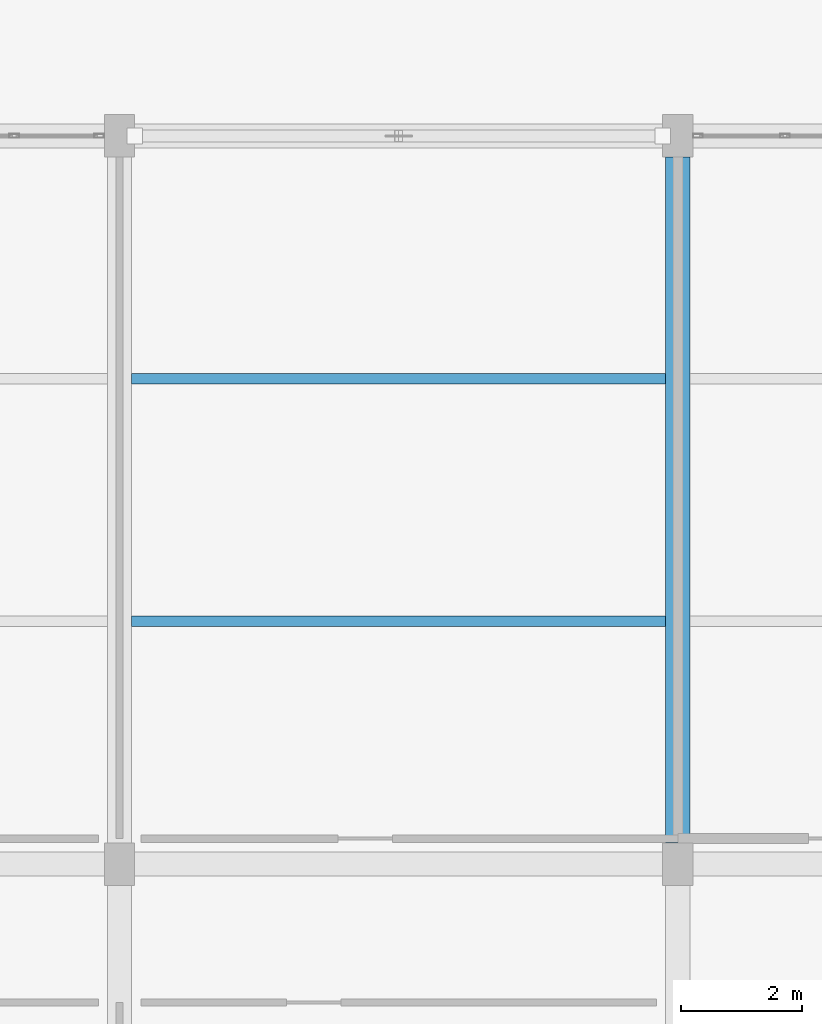
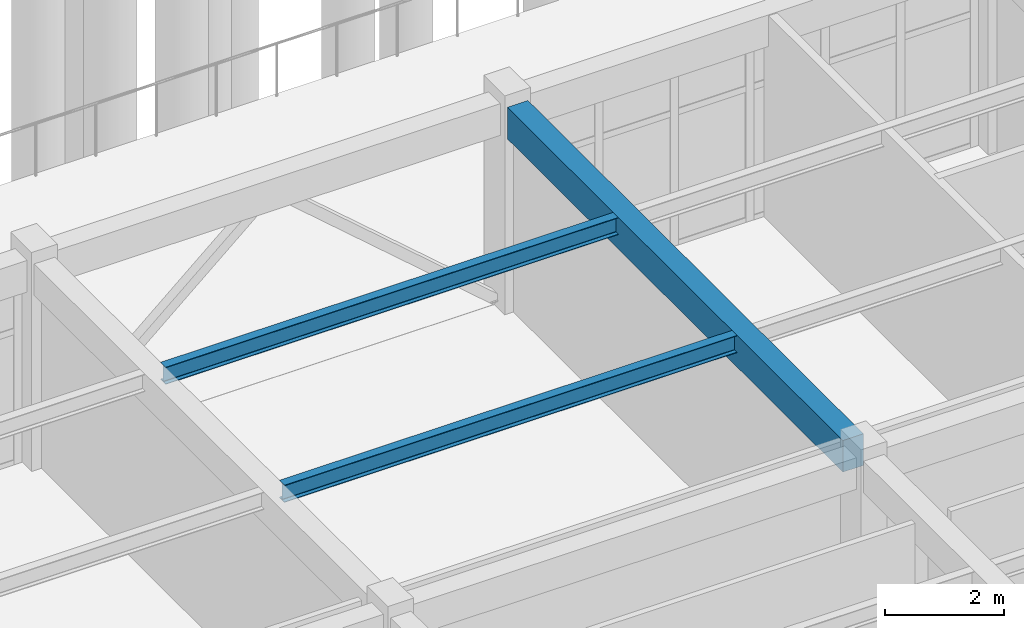
# One storey, part 38 of 154: 3 beams.
"""IFC4 building model written with IfcOpenShell, lengths in metres."""

from ifc_helpers import new_model, si_unit, direction, frame, origin, origin_2d, place, context, subcontext, project, spatial, rectangle, i_section, extrude, material, material_profile, profile_set, type_object, element, save


model = new_model("IFC4")

# Units and contexts
model_context = context("Model", 3, precision=1e-05, world=origin(), true_north=direction((0.0, 1.0)))
body_context = subcontext(model_context, "Body", "Model", "MODEL_VIEW")
ifc_project = project(units=[si_unit("LENGTHUNIT", "METRE"), si_unit("AREAUNIT", "SQUARE_METRE"), si_unit("VOLUMEUNIT", "CUBIC_METRE"), si_unit("PLANEANGLEUNIT", "RADIAN"), si_unit("MASSUNIT", "GRAM", prefix="KILO")], contexts=[model_context])

# Site, building, storey
site_placement = place(None, origin())
site = spatial("IfcSite", under=ifc_project, at=site_placement, CompositionType="ELEMENT")
building_placement = place(site_placement, origin())
building = spatial("IfcBuilding", under=site, at=building_placement, Name="Kestramere Prow Commons", CompositionType="ELEMENT")
storey_placement = place(building_placement, origin())
storey = spatial("IfcBuildingStorey", under=building, at=storey_placement, Name="L00", CompositionType="ELEMENT", Elevation=0.0)

# Beams
ifc_material_1 = material(Name="Precast concrete C40/50", Category="concrete")
ifc_material_profile_1 = material_profile(ifc_material_1, rectangle(XDim=0.39990234375, YDim=0.64990234375, at=origin_2d()), Name="PC-BM 400x650")
ifc_profile_set_1 = profile_set([ifc_material_profile_1], Name="Precast concrete C40/50")
beam_type_1 = type_object("IfcBeamType", Name="BM-MK-01 PC-BM 400x650", PredefinedType="BEAM", material=ifc_profile_set_1)
beam_placement = place(storey_placement, frame((94.199951171875, 12.35009765625, 3.925048828125), z_axis=(0.0, 1.0, 0.0), x_axis=(-1.0, 0.0, 0.0)))
element("IfcBeam", 1, at=beam_placement, inside=storey, type_object=beam_type_1, Name="Market Spine L00 Beam Y 5-2", PredefinedType="BEAM", context=body_context, shape_type="SweptSolid", body=[
    extrude(rectangle(XDim=0.39990234375, YDim=0.64990234375, at=origin_2d()), origin(), (0.0, 0.0, 1.0), 11.2998046875),
])
ifc_material_2 = material(Name="Steel S355JR", Category="steel")
ifc_material_profile_2 = material_profile(ifc_material_2, i_section(OverallWidth=0.17138671875, OverallDepth=0.35498046875, WebThickness=0.00732421875, FlangeThickness=0.011474609375, FilletRadius=0.01025390625, at=origin_2d()), Name="UB 356x171x51")
ifc_profile_set_2 = profile_set([ifc_material_profile_2], Name="Steel S355JR")
beam_type_2 = type_object("IfcBeamType", Name="JST-MK-01 UB 356x171x51", PredefinedType="JOIST", material=ifc_profile_set_2)
for number, where, z_axis, x_axis, name in (
    (2, (85.199951171875, 16.0, 4.072509765625), (1.0, 0.0, 0.0), (0.0, 1.0, 0.0), "Market Spine L00 Secondary Joist 4-16"),
    (3, (85.199951171875, 20.0, 4.072509765625), (1.0, 0.0, 0.0), (0.0, 1.0, 0.0), "Market Spine L00 Secondary Joist 4-20"),
):
    element("IfcBeam", number, at=place(storey_placement, frame(where, z_axis=z_axis, x_axis=x_axis)), inside=storey, type_object=beam_type_2, Name=name, PredefinedType="JOIST", context=body_context, shape_type="SweptSolid", body=[
        extrude(i_section(OverallWidth=0.17138671875, OverallDepth=0.35498046875, WebThickness=0.00732421875, FlangeThickness=0.011474609375, FilletRadius=0.01025390625, at=origin_2d()), origin(), (0.0, 0.0, 1.0), 8.800048828125),
    ])

save(model, "model.ifc")
